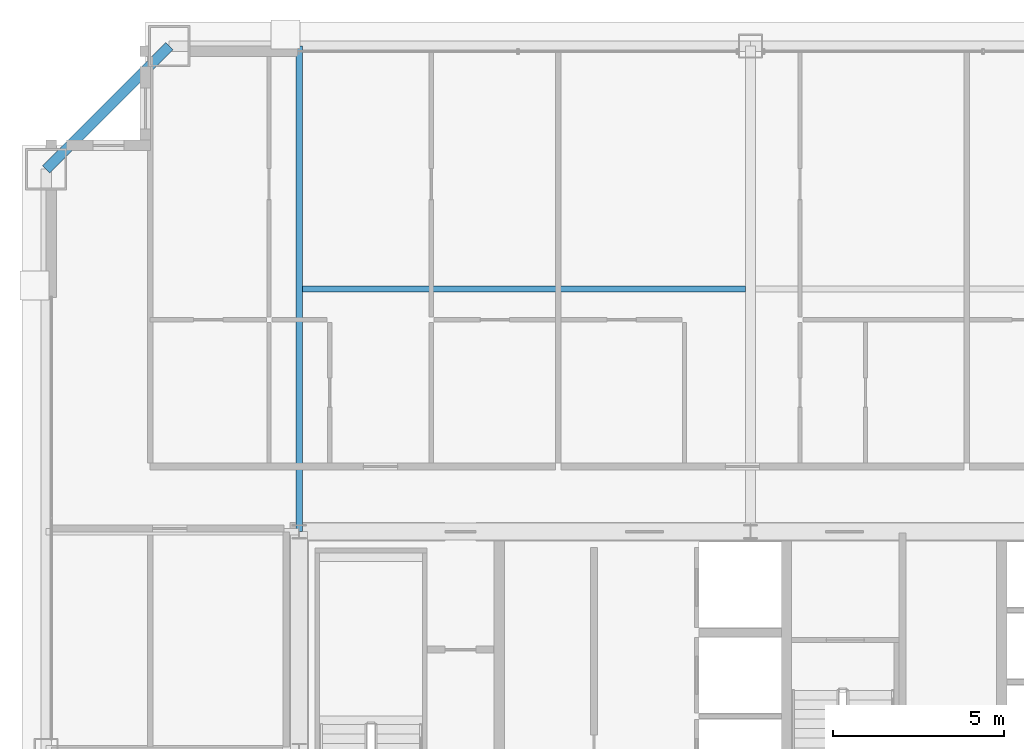
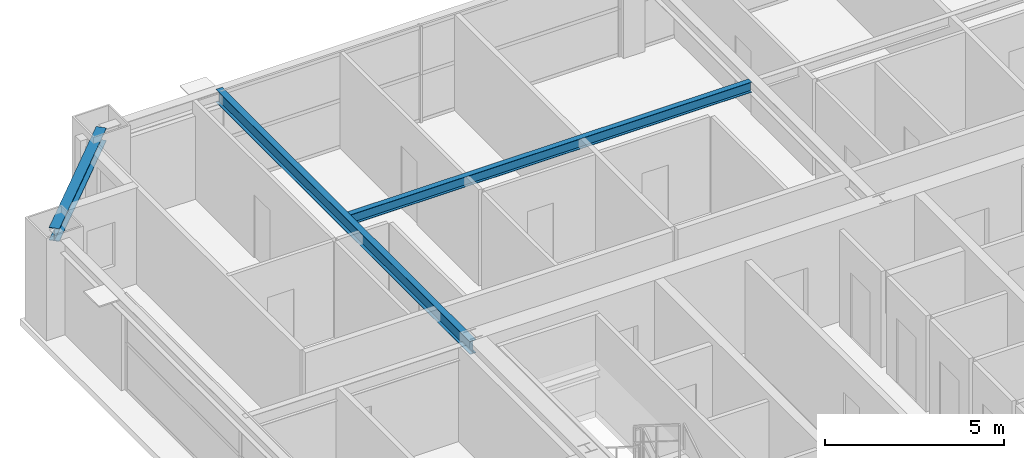
# One storey, part 23 of 37: 3 beams.
"""IFC4 building model written with IfcOpenShell, lengths in metres."""

from ifc_helpers import new_model, si_unit, direction, frame, origin, origin_2d, place, context, subcontext, project, spatial, i_section, extrude, source, transform, mapped, material, material_profile, profile_set, type_object, element, save


model = new_model("IFC4")

# Units and contexts
model_context = context("Model", 3, precision=1e-05, world=origin(), true_north=direction((0.0, 1.0)))
body_context = subcontext(model_context, "Body", "Model", "MODEL_VIEW")
ifc_project = project(units=[si_unit("LENGTHUNIT", "METRE"), si_unit("AREAUNIT", "SQUARE_METRE"), si_unit("VOLUMEUNIT", "CUBIC_METRE"), si_unit("PLANEANGLEUNIT", "RADIAN"), si_unit("MASSUNIT", "GRAM", prefix="KILO"), si_unit("THERMODYNAMICTEMPERATUREUNIT", "KELVIN"), si_unit("POWERUNIT", "WATT")], contexts=[model_context])

# Site, building, storey
site_placement = place(None, origin())
site = spatial("IfcSite", under=ifc_project, at=site_placement, CompositionType="ELEMENT")
building_placement = place(site_placement, origin())
building = spatial("IfcBuilding", under=site, at=building_placement, Name="Yuzanri Waterfront Tower", CompositionType="ELEMENT")
storey_placement = place(building_placement, frame((0.0, 0.0, 252.10009765625)))
storey = spatial("IfcBuildingStorey", under=building, at=storey_placement, Name="L67", CompositionType="ELEMENT", Elevation=252.10009765625)

# Beams
ifc_material_1 = material(Name="Steel Q355B", Category="steel")
ifc_material_profile_1 = material_profile(ifc_material_1, i_section(OverallWidth=0.300048828125, OverallDepth=0.43994140625, WebThickness=0.010986328125, FlangeThickness=0.01806640625, at=origin_2d()), Name="HM 440x300x11x18")
ifc_profile_set_1 = profile_set([ifc_material_profile_1], Name="Steel Q355B")
beam_type_1 = type_object("IfcBeamType", Name="Perimeter Spandrel Q355B HM 440x300", PredefinedType="SPANDREL", material=ifc_profile_set_1)
shared_shape_1 = source(origin(), body_context, "Body", "SweptSolid", [
    extrude(i_section(OverallWidth=0.300048828125, OverallDepth=0.43994140625, WebThickness=0.010986328125, FlangeThickness=0.01806640625, at=origin_2d()), origin(), (0.0, 0.0, 1.0), 5.091064453125),
])
beam_1_placement = place(storey_placement, frame((20.0, 46.39990234375, 3.059814453125), z_axis=(-0.707130757816, -0.707082803744, 0.0), x_axis=(0.707082803744, -0.707130757816, 0.0)))
element("IfcBeam", 1, at=beam_1_placement, inside=storey, type_object=beam_type_1, Name="L67 Perimeter Spandrel N1-W3", PredefinedType="SPANDREL", context=body_context, shape_type="MappedRepresentation", body=[
    mapped(shared_shape_1, transform((0.0, 0.0, 0.0), scale=1.0)),
])
ifc_material_2 = material(Name="Steel Q355B", Category="steel")
ifc_material_profile_2 = material_profile(ifc_material_2, i_section(OverallWidth=0.199951171875, OverallDepth=0.449951171875, WebThickness=0.009033203125, FlangeThickness=0.013916015625, at=origin_2d()), Name="HN 450x200x9x14")
ifc_profile_set_2 = profile_set([ifc_material_profile_2], Name="Steel Q355B")
beam_type_2 = type_object("IfcBeamType", Name="Secondary Floor Beam Q355B HN 450x200", PredefinedType="BEAM", material=ifc_profile_set_2)
shared_shape_2 = source(origin(), body_context, "Body", "SweptSolid", [
    extrude(i_section(OverallWidth=0.199951171875, OverallDepth=0.449951171875, WebThickness=0.009033203125, FlangeThickness=0.013916015625, at=origin_2d()), origin(), (0.0, 0.0, 1.0), 14.199951171875),
])
beam_2_placement = place(storey_placement, frame((23.800048828125, 32.199951171875, 3.054931640625), z_axis=(0.0, 1.0, 0.0), x_axis=(-1.0, 0.0, 0.0)))
element("IfcBeam", 2, at=beam_2_placement, inside=storey, type_object=beam_type_2, Name="L67 North-West Core Line Beam", PredefinedType="BEAM", context=body_context, shape_type="MappedRepresentation", body=[
    mapped(shared_shape_2, transform((0.0, 0.0, 0.0), scale=1.0)),
])
ifc_material_3 = material(Name="Steel Q355B", Category="steel")
ifc_material_profile_3 = material_profile(ifc_material_3, i_section(OverallWidth=0.175048828125, OverallDepth=0.35009765625, WebThickness=0.007080078125, FlangeThickness=0.010986328125, at=origin_2d()), Name="HN 350x175x7x11")
ifc_profile_set_3 = profile_set([ifc_material_profile_3], Name="Steel Q355B")
beam_type_3 = type_object("IfcBeamType", Name="Floor Joist Q355B HN 350x175", PredefinedType="JOIST", material=ifc_profile_set_3)
shared_shape_3 = source(origin(), body_context, "Body", "SweptSolid", [
    extrude(i_section(OverallWidth=0.175048828125, OverallDepth=0.35009765625, WebThickness=0.007080078125, FlangeThickness=0.010986328125, at=origin_2d()), origin(), (0.0, 0.0, 1.0), 12.9501953125),
])
beam_3_placement = place(storey_placement, frame((23.89990234375, 39.300048828125, 3.10498046875), z_axis=(1.0, 0.0, 0.0), x_axis=(0.0, 1.0, 0.0)))
element("IfcBeam", 3, at=beam_3_placement, inside=storey, type_object=beam_type_3, Name="L67 North Bay Joist W", PredefinedType="JOIST", context=body_context, shape_type="MappedRepresentation", body=[
    mapped(shared_shape_3, transform((0.0, 0.0, 0.0), scale=1.0)),
])

save(model, "model.ifc")
